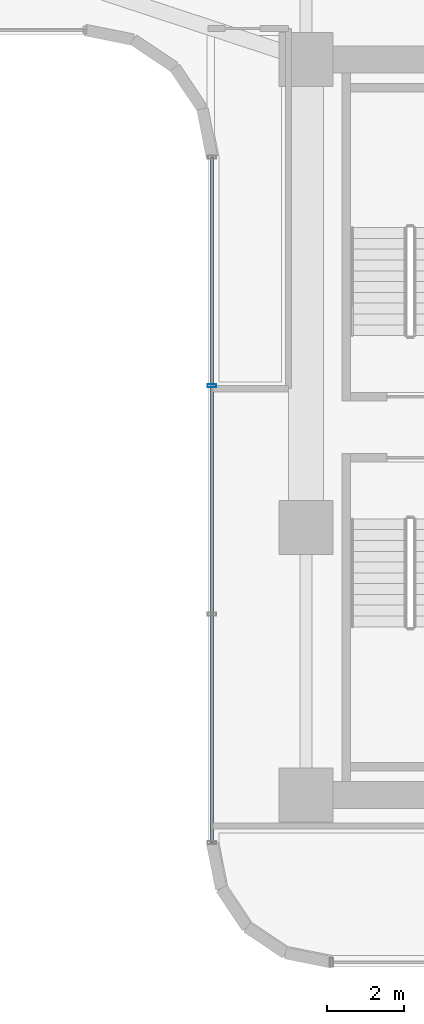
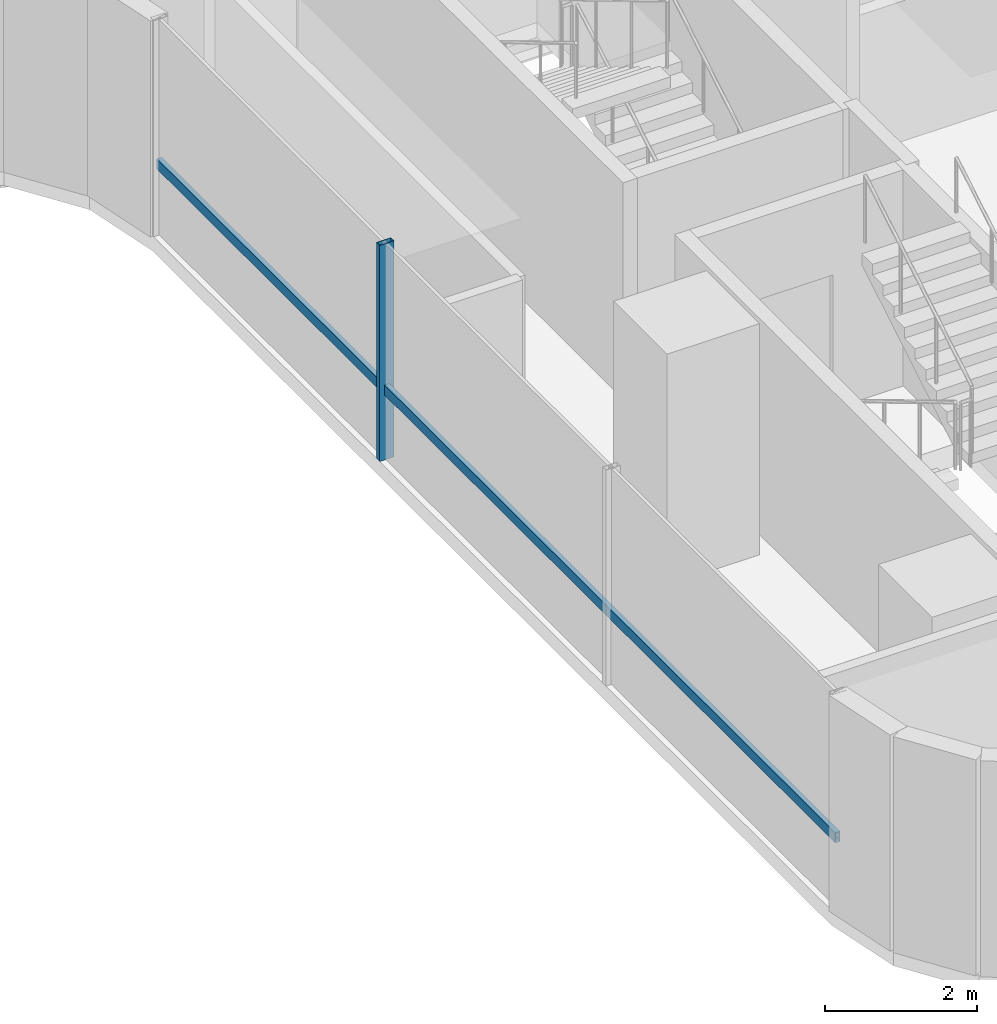
# One storey, part 13 of 39: 2 members, 1 element without a shape of its own.
"""IFC4 building model written with IfcOpenShell, lengths in metres."""

from ifc_helpers import new_model, si_unit, direction, frame, origin, origin_2d, place, context, subcontext, project, spatial, hollow_rectangle, extrude, source, transform, mapped, material, material_profile, profile_set, type_object, element, aggregate, save


model = new_model("IFC4")

# Units and contexts
model_context = context("Model", 3, precision=1e-05, world=origin(), true_north=direction((0.0, 1.0)))
body_context = subcontext(model_context, "Body", "Model", "MODEL_VIEW")
ifc_project = project(units=[si_unit("LENGTHUNIT", "METRE"), si_unit("AREAUNIT", "SQUARE_METRE"), si_unit("VOLUMEUNIT", "CUBIC_METRE"), si_unit("PLANEANGLEUNIT", "RADIAN"), si_unit("MASSUNIT", "GRAM", prefix="KILO")], contexts=[model_context])

# Site, building, storey
site_placement = place(None, origin())
site = spatial("IfcSite", under=ifc_project, at=site_placement, CompositionType="ELEMENT")
building_placement = place(site_placement, origin())
building = spatial("IfcBuilding", under=site, at=building_placement, Name="Valdorenza Pilgrim Sanctuary Tower", CompositionType="ELEMENT")
storey_placement = place(building_placement, frame((0.0, 0.0, 77.800048828125)))
storey = spatial("IfcBuildingStorey", under=building, at=storey_placement, Name="L19", CompositionType="ELEMENT", Elevation=77.800048828125)

# Curtain wall, members
ifc_material_1 = material(Name="Curtain-wall IGU glazing", Category="glass")
curtain_wall_type = type_object("IfcCurtainWallType", Name="CW-SYS-03", PredefinedType="NOTDEFINED", material=ifc_material_1)
curtain_wall_placement = place(storey_placement, origin())
curtain_wall = element("IfcCurtainWall", 1, at=curtain_wall_placement, inside=storey, type_object=curtain_wall_type, Name="L19 Curtain Wall CW-L19-1-31", PredefinedType="NOTDEFINED")
ifc_material_2 = material(Name="Anodised aluminium AW-6060", Category="aluminium")
ifc_material_profile_1 = material_profile(ifc_material_2, hollow_rectangle(XDim=0.0849609375, YDim=0.219970703125, WallThickness=0.0048828125, at=origin_2d()), Name="ALU-M 220x85x5")
ifc_profile_set_1 = profile_set([ifc_material_profile_1], Name="Anodised aluminium AW-6060")
member_type_1 = type_object("IfcMemberType", Name="CW-MUL-03", PredefinedType="MULLION", material=ifc_profile_set_1)
shared_shape_1 = source(origin(), body_context, "Body", "SweptSolid", [
    extrude(hollow_rectangle(XDim=0.0849609375, YDim=0.219970703125, WallThickness=0.0048828125, at=origin_2d()), origin(), (0.0, 0.0, 1.0), 3.4599609375),
])
member_1_placement = place(storey_placement, frame((13.409912109375, 1.077392578125, 0.0), z_axis=(0.0, 0.0, 1.0), x_axis=(0.0, 1.0, 0.0)))
member_1 = element("IfcMember", 2, at=member_1_placement, type_object=member_type_1, Name="CW-L19-1-31 Mullion 3", PredefinedType="MULLION", context=body_context, shape_type="MappedRepresentation", body=[
    mapped(shared_shape_1, transform((0.0, 0.0, 0.0), x_axis=(1.0, 0.0, 0.0), y_axis=(0.0, 1.0, 0.0), z_axis=(0.0, 0.0, 1.0), scale=1.0)),
])
ifc_material_profile_2 = material_profile(ifc_material_2, hollow_rectangle(XDim=0.074951171875, YDim=0.159912109375, WallThickness=0.00390625, at=origin_2d()), Name="ALU-T 160x75x4")
ifc_profile_set_2 = profile_set([ifc_material_profile_2], Name="Anodised aluminium AW-6060")
member_type_2 = type_object("IfcMemberType", Name="CW-TRN-03", PredefinedType="USERDEFINED", material=ifc_profile_set_2)
shared_shape_2 = source(origin(), body_context, "Body", "SweptSolid", [
    extrude(hollow_rectangle(XDim=0.074951171875, YDim=0.159912109375, WallThickness=0.00390625, at=origin_2d()), origin(), (0.0, 0.0, 1.0), 17.800048828125),
])
member_2_placement = place(storey_placement, frame((13.409912109375, -10.789306640625, 1.119873046875), z_axis=(0.0, 1.0, 0.0), x_axis=(-1.0, 0.0, 0.0)))
member_2 = element("IfcMember", 3, at=member_2_placement, type_object=member_type_2, Name="CW-L19-1-31 Transom 1", ObjectType="TRANSOM", PredefinedType="USERDEFINED", context=body_context, shape_type="MappedRepresentation", body=[
    mapped(shared_shape_2, transform((0.0, 0.0, 0.0), x_axis=(1.0, 0.0, 0.0), y_axis=(0.0, 1.0, 0.0), z_axis=(0.0, 0.0, 1.0), scale=1.0)),
])
aggregate(curtain_wall, [member_1, member_2])

save(model, "model.ifc")
